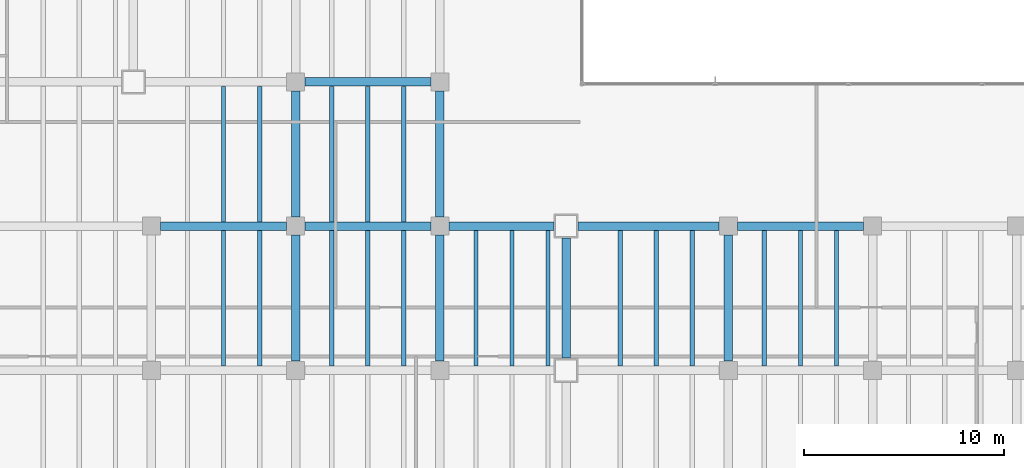
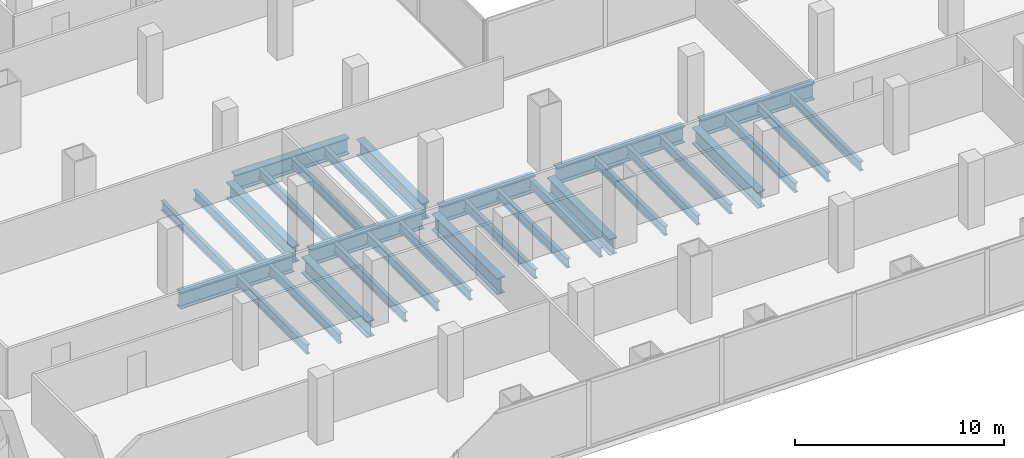
# One storey, part 8 of 31: 31 beams.
"""IFC4 building model written with IfcOpenShell, lengths in metres."""

from ifc_helpers import new_model, si_unit, direction, frame, origin, origin_2d, place, context, subcontext, project, spatial, i_section, extrude, material, material_profile, profile_set, type_object, element, save


model = new_model("IFC4")

# Units and contexts
model_context = context("Model", 3, precision=1e-05, world=origin(), true_north=direction((0.0, 1.0)))
body_context = subcontext(model_context, "Body", "Model", "MODEL_VIEW")
ifc_project = project(units=[si_unit("LENGTHUNIT", "METRE"), si_unit("AREAUNIT", "SQUARE_METRE"), si_unit("VOLUMEUNIT", "CUBIC_METRE"), si_unit("PLANEANGLEUNIT", "RADIAN"), si_unit("MASSUNIT", "GRAM", prefix="KILO")], contexts=[model_context])

# Site, building, storey
site_placement = place(None, origin())
site = spatial("IfcSite", under=ifc_project, at=site_placement, CompositionType="ELEMENT")
building_placement = place(site_placement, origin())
building = spatial("IfcBuilding", under=site, at=building_placement, Name="Cobrela Telecom Tower", CompositionType="ELEMENT")
storey_placement = place(building_placement, frame((0.0, 0.0, 9.449951171875)))
storey = spatial("IfcBuildingStorey", under=building, at=storey_placement, Name="L02", CompositionType="ELEMENT", Elevation=9.449951171875)

# Beams
ifc_material = material(Name="Steel ASTM A992 Grade 50", Category="steel")
ifc_material_profile_1 = material_profile(ifc_material, i_section(OverallWidth=0.424072265625, OverallDepth=0.947021484375, WebThickness=0.02392578125, FlangeThickness=0.042724609375, FilletRadius=0.02392578125, at=origin_2d()), Name="W36X302")
ifc_profile_set_1 = profile_set([ifc_material_profile_1], Name="Steel ASTM A992 Grade 50")
beam_type_1 = type_object("IfcBeamType", Name="BM-GIRD-01", PredefinedType="USERDEFINED", material=ifc_profile_set_1)
for number, where, z_axis, x_axis, name in (
    (1, (29.2548828125, 21.60009765625, -0.7734375), (1.0, 0.0, 0.0), (0.0, 1.0, 0.0), "L02 Primary Girder X30"),
    (2, (36.455078125, 21.60009765625, -0.7734375), (1.0, 0.0, 0.0), (0.0, 1.0, 0.0), "L02 Primary Girder X31"),
):
    element("IfcBeam", number, at=place(storey_placement, frame(where, z_axis=z_axis, x_axis=x_axis)), inside=storey, type_object=beam_type_1, Name=name, ObjectType="GIRDER", PredefinedType="USERDEFINED", context=body_context, shape_type="SweptSolid", body=[
        extrude(i_section(OverallWidth=0.424072265625, OverallDepth=0.947021484375, WebThickness=0.02392578125, FlangeThickness=0.042724609375, FilletRadius=0.02392578125, at=origin_2d()), origin(), (0.0, 0.0, 1.0), 6.2900390625),
    ])
beam_1_placement = place(storey_placement, frame((43.655029296875, 21.60009765625, -0.7734375), z_axis=(1.0, 0.0, 0.0), x_axis=(0.0, 1.0, 0.0)))
element("IfcBeam", 3, at=beam_1_placement, inside=storey, type_object=beam_type_1, Name="L02 Primary Girder X32", ObjectType="GIRDER", PredefinedType="USERDEFINED", context=body_context, shape_type="SweptSolid", body=[
    extrude(i_section(OverallWidth=0.424072265625, OverallDepth=0.947021484375, WebThickness=0.02392578125, FlangeThickness=0.042724609375, FilletRadius=0.02392578125, at=origin_2d()), origin(), (0.0, 0.0, 1.0), 5.239990234375),
])
beam_2_placement = place(storey_placement, frame((50.10498046875, 21.60009765625, -0.7734375), z_axis=(1.0, 0.0, 0.0), x_axis=(0.0, 1.0, 0.0)))
element("IfcBeam", 4, at=beam_2_placement, inside=storey, type_object=beam_type_1, Name="L02 Primary Girder X33", ObjectType="GIRDER", PredefinedType="USERDEFINED", context=body_context, shape_type="SweptSolid", body=[
    extrude(i_section(OverallWidth=0.424072265625, OverallDepth=0.947021484375, WebThickness=0.02392578125, FlangeThickness=0.042724609375, FilletRadius=0.02392578125, at=origin_2d()), origin(), (0.0, 0.0, 1.0), 7.0400390625),
])
for number, where, z_axis, x_axis, name in (
    (5, (58.054931640625, 21.60009765625, -0.7734375), (1.0, 0.0, 0.0), (0.0, 1.0, 0.0), "L02 Primary Girder X34"),
    (6, (36.455078125, 28.800048828125, -0.7734375), (1.0, 0.0, 0.0), (0.0, 1.0, 0.0), "L02 Primary Girder X40"),
    (7, (36.0, 14.85498046875, -0.7734375), (0.0, 1.0, 0.0), (-1.0, 0.0, 0.0), "L02 Primary Girder Y73"),
    (8, (36.0, 22.054931640625, -0.7734375), (0.0, 1.0, 0.0), (-1.0, 0.0, 0.0), "L02 Primary Girder Y74"),
    (9, (43.199951171875, 14.85498046875, -0.7734375), (0.0, 1.0, 0.0), (-1.0, 0.0, 0.0), "L02 Primary Girder Y80"),
    (10, (43.199951171875, 22.054931640625, -0.7734375), (0.0, 1.0, 0.0), (-1.0, 0.0, 0.0), "L02 Primary Girder Y81"),
):
    element("IfcBeam", number, at=place(storey_placement, frame(where, z_axis=z_axis, x_axis=x_axis)), inside=storey, type_object=beam_type_1, Name=name, ObjectType="GIRDER", PredefinedType="USERDEFINED", context=body_context, shape_type="SweptSolid", body=[
        extrude(i_section(OverallWidth=0.424072265625, OverallDepth=0.947021484375, WebThickness=0.02392578125, FlangeThickness=0.042724609375, FilletRadius=0.02392578125, at=origin_2d()), origin(), (0.0, 0.0, 1.0), 6.2900390625),
    ])
beam_3_placement = place(storey_placement, frame((49.5, 15.0048828125, -0.7734375), z_axis=(0.0, 1.0, 0.0), x_axis=(-1.0, 0.0, 0.0)))
element("IfcBeam", 11, at=beam_3_placement, inside=storey, type_object=beam_type_1, Name="L02 Primary Girder Y87", ObjectType="GIRDER", PredefinedType="USERDEFINED", context=body_context, shape_type="SweptSolid", body=[
    extrude(i_section(OverallWidth=0.424072265625, OverallDepth=0.947021484375, WebThickness=0.02392578125, FlangeThickness=0.042724609375, FilletRadius=0.02392578125, at=origin_2d()), origin(), (0.0, 0.0, 1.0), 5.990234375),
])
beam_4_placement = place(storey_placement, frame((57.60009765625, 14.85498046875, -0.7734375), z_axis=(0.0, 1.0, 0.0), x_axis=(-1.0, 0.0, 0.0)))
element("IfcBeam", 12, at=beam_4_placement, inside=storey, type_object=beam_type_1, Name="L02 Primary Girder Y90", ObjectType="GIRDER", PredefinedType="USERDEFINED", context=body_context, shape_type="SweptSolid", body=[
    extrude(i_section(OverallWidth=0.424072265625, OverallDepth=0.947021484375, WebThickness=0.02392578125, FlangeThickness=0.042724609375, FilletRadius=0.02392578125, at=origin_2d()), origin(), (0.0, 0.0, 1.0), 6.2900390625),
])
ifc_material_profile_2 = material_profile(ifc_material, i_section(OverallWidth=0.212890625, OverallDepth=0.549072265625, WebThickness=0.0146484375, FlangeThickness=0.023681640625, FilletRadius=0.013916015625, at=origin_2d()), Name="W21X93")
ifc_profile_set_2 = profile_set([ifc_material_profile_2], Name="Steel ASTM A992 Grade 50")
beam_type_2 = type_object("IfcBeamType", Name="BM-JOIST-01", PredefinedType="JOIST", material=ifc_profile_set_2)
for number, where, z_axis, x_axis, name in (
    (13, (32.39990234375, 14.616943359375, -0.574462890625), (0.0, 1.0, 0.0), (-1.0, 0.0, 0.0), "L02 Secondary Composite Floor Beam J60"),
    (14, (32.39990234375, 21.81689453125, -0.574462890625), (0.0, 1.0, 0.0), (-1.0, 0.0, 0.0), "L02 Secondary Composite Floor Beam J61"),
    (15, (34.199951171875, 14.616943359375, -0.574462890625), (0.0, 1.0, 0.0), (-1.0, 0.0, 0.0), "L02 Secondary Composite Floor Beam J65"),
    (16, (34.199951171875, 21.81689453125, -0.574462890625), (0.0, 1.0, 0.0), (-1.0, 0.0, 0.0), "L02 Secondary Composite Floor Beam J66"),
    (17, (37.800048828125, 14.616943359375, -0.574462890625), (0.0, 1.0, 0.0), (-1.0, 0.0, 0.0), "L02 Secondary Composite Floor Beam J72"),
    (18, (37.800048828125, 21.81689453125, -0.574462890625), (0.0, 1.0, 0.0), (-1.0, 0.0, 0.0), "L02 Secondary Composite Floor Beam J73"),
    (19, (39.60009765625, 14.616943359375, -0.574462890625), (0.0, 1.0, 0.0), (-1.0, 0.0, 0.0), "L02 Secondary Composite Floor Beam J79"),
    (20, (39.60009765625, 21.81689453125, -0.574462890625), (0.0, 1.0, 0.0), (-1.0, 0.0, 0.0), "L02 Secondary Composite Floor Beam J80"),
    (21, (41.39990234375, 14.616943359375, -0.574462890625), (0.0, 1.0, 0.0), (-1.0, 0.0, 0.0), "L02 Secondary Composite Floor Beam J86"),
    (22, (41.39990234375, 21.81689453125, -0.574462890625), (0.0, 1.0, 0.0), (-1.0, 0.0, 0.0), "L02 Secondary Composite Floor Beam J87"),
    (23, (45.0, 14.616943359375, -0.574462890625), (0.0, 1.0, 0.0), (-1.0, 0.0, 0.0), "L02 Secondary Composite Floor Beam J93"),
    (24, (46.800048828125, 14.616943359375, -0.574462890625), (0.0, 1.0, 0.0), (-1.0, 0.0, 0.0), "L02 Secondary Composite Floor Beam J96"),
    (25, (48.60009765625, 14.616943359375, -0.574462890625), (0.0, 1.0, 0.0), (-1.0, 0.0, 0.0), "L02 Secondary Composite Floor Beam J99"),
    (26, (52.199951171875, 14.616943359375, -0.574462890625), (0.0, 1.0, 0.0), (-1.0, 0.0, 0.0), "L02 Secondary Composite Floor Beam J102"),
    (27, (54.0, 14.616943359375, -0.574462890625), (0.0, 1.0, 0.0), (-1.0, 0.0, 0.0), "L02 Secondary Composite Floor Beam J105"),
    (28, (55.800048828125, 14.616943359375, -0.574462890625), (0.0, 1.0, 0.0), (-1.0, 0.0, 0.0), "L02 Secondary Composite Floor Beam J108"),
    (29, (59.39990234375, 14.616943359375, -0.574462890625), (0.0, 1.0, 0.0), (-1.0, 0.0, 0.0), "L02 Secondary Composite Floor Beam J111"),
    (30, (61.199951171875, 14.616943359375, -0.574462890625), (0.0, 1.0, 0.0), (-1.0, 0.0, 0.0), "L02 Secondary Composite Floor Beam J114"),
    (31, (63.0, 14.616943359375, -0.574462890625), (0.0, 1.0, 0.0), (-1.0, 0.0, 0.0), "L02 Secondary Composite Floor Beam J117"),
):
    element("IfcBeam", number, at=place(storey_placement, frame(where, z_axis=z_axis, x_axis=x_axis)), inside=storey, type_object=beam_type_2, Name=name, PredefinedType="JOIST", context=body_context, shape_type="SweptSolid", body=[
        extrude(i_section(OverallWidth=0.212890625, OverallDepth=0.549072265625, WebThickness=0.0146484375, FlangeThickness=0.023681640625, FilletRadius=0.013916015625, at=origin_2d()), origin(), (0.0, 0.0, 1.0), 6.76611328125),
    ])

save(model, "model.ifc")
